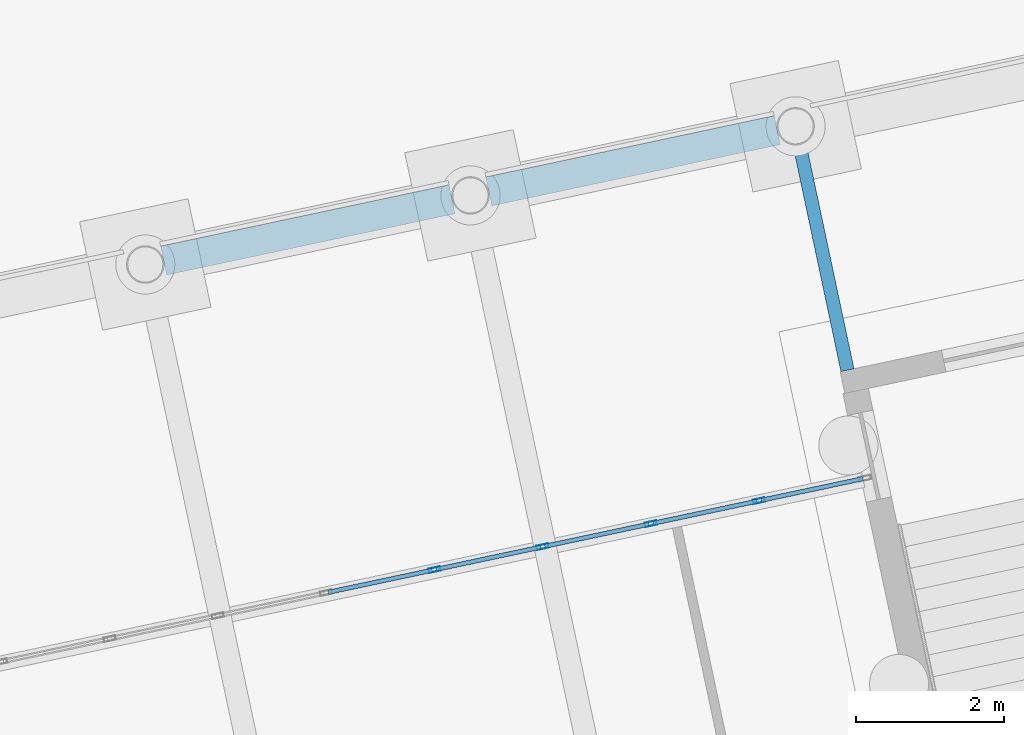
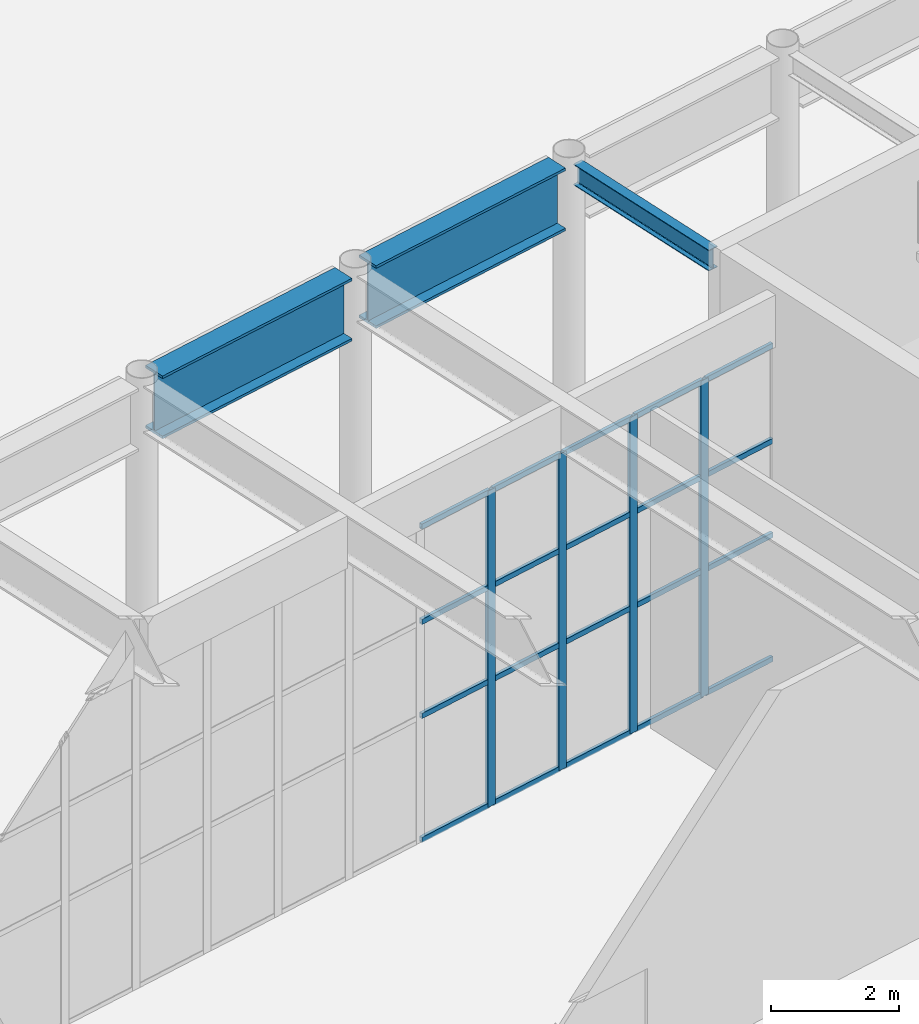
# One storey, part 59 of 239: 24 members, 3 beams, 1 element without a shape of its own.
"""IFC4 building model written with IfcOpenShell, lengths in metres."""

from ifc_helpers import new_model, si_unit, direction, frame, origin, origin_2d, place, context, subcontext, project, spatial, hollow_rectangle, i_section, extrude, material, material_profile, profile_set, type_object, element, aggregate, save


model = new_model("IFC4")

# Units and contexts
model_context = context("Model", 3, precision=1e-05, world=origin(), true_north=direction((0.0, 1.0)))
body_context = subcontext(model_context, "Body", "Model", "MODEL_VIEW")
ifc_project = project(units=[si_unit("LENGTHUNIT", "METRE"), si_unit("AREAUNIT", "SQUARE_METRE"), si_unit("VOLUMEUNIT", "CUBIC_METRE"), si_unit("PLANEANGLEUNIT", "RADIAN"), si_unit("MASSUNIT", "GRAM", prefix="KILO")], contexts=[model_context])

# Site, building, storey
site_placement = place(None, origin())
site = spatial("IfcSite", under=ifc_project, at=site_placement, CompositionType="ELEMENT")
building_placement = place(site_placement, origin())
building = spatial("IfcBuilding", under=site, at=building_placement, Name="Okhra Congress Centre", CompositionType="ELEMENT")
storey_placement = place(building_placement, origin())
storey = spatial("IfcBuildingStorey", under=building, at=storey_placement, Name="L00", CompositionType="ELEMENT", Elevation=0.0)

# Curtain wall, members
ifc_material_1 = material(Name="Aluminium curtain wall, triple glazing", Category="aluminium")
curtain_wall_type = type_object("IfcCurtainWallType", Name="Curtain wall 1500 module", PredefinedType="NOTDEFINED", material=ifc_material_1)
curtain_wall_placement = place(storey_placement, origin())
curtain_wall = element("IfcCurtainWall", 1, at=curtain_wall_placement, inside=storey, type_object=curtain_wall_type, Name="Ground curtain wall N7", PredefinedType="NOTDEFINED")
ifc_material_2 = material(Name="Aluminium alloy EN AW-6063 T66", Category="aluminium")
ifc_material_profile_1 = material_profile(ifc_material_2, hollow_rectangle(XDim=0.06005859375, YDim=0.159912109375, WallThickness=0.00390625, at=origin_2d()), Name="RHS 60x160x4")
ifc_profile_set_1 = profile_set([ifc_material_profile_1], Name="Aluminium alloy EN AW-6063 T66")
member_type_1 = type_object("IfcMemberType", Name="Curtain wall mullion 60x160", PredefinedType="MULLION", material=ifc_profile_set_1)
member_1_placement = place(storey_placement, frame((90.74609375, 52.702392578125, 0.0), z_axis=(0.0, 0.0, 1.0), x_axis=(-0.207911690818, 0.978147600734, 0.0)))
member_1 = element("IfcMember", 2, at=member_1_placement, type_object=member_type_1, Name="CW7 mullion 15", PredefinedType="MULLION", context=body_context, shape_type="SweptSolid", body=[
    extrude(hollow_rectangle(XDim=0.06005859375, YDim=0.159912109375, WallThickness=0.00390625, at=origin_2d()), origin(), (0.0, 0.0, 1.0), 6.050048828125),
])
member_2_placement = place(storey_placement, frame((92.211181640625, 53.013671875, 0.0), z_axis=(0.0, 0.0, 1.0), x_axis=(-0.207911690818, 0.978147600734, 0.0)))
member_2 = element("IfcMember", 3, at=member_2_placement, type_object=member_type_1, Name="CW7 mullion 16", PredefinedType="MULLION", context=body_context, shape_type="SweptSolid", body=[
    extrude(hollow_rectangle(XDim=0.06005859375, YDim=0.159912109375, WallThickness=0.00390625, at=origin_2d()), origin(), (0.0, 0.0, 1.0), 6.050048828125),
])
member_3_placement = place(storey_placement, frame((93.67626953125, 53.3251953125, 0.0), z_axis=(0.0, 0.0, 1.0), x_axis=(-0.207911690818, 0.978147600734, 0.0)))
member_3 = element("IfcMember", 4, at=member_3_placement, type_object=member_type_1, Name="CW7 mullion 17", PredefinedType="MULLION", context=body_context, shape_type="SweptSolid", body=[
    extrude(hollow_rectangle(XDim=0.06005859375, YDim=0.159912109375, WallThickness=0.00390625, at=origin_2d()), origin(), (0.0, 0.0, 1.0), 6.050048828125),
])
member_4_placement = place(storey_placement, frame((95.141357421875, 53.636474609375, 0.0), z_axis=(0.0, 0.0, 1.0), x_axis=(-0.207911690818, 0.978147600734, 0.0)))
member_4 = element("IfcMember", 5, at=member_4_placement, type_object=member_type_1, Name="CW7 mullion 18", PredefinedType="MULLION", context=body_context, shape_type="SweptSolid", body=[
    extrude(hollow_rectangle(XDim=0.06005859375, YDim=0.159912109375, WallThickness=0.00390625, at=origin_2d()), origin(), (0.0, 0.0, 1.0), 6.050048828125),
])
ifc_material_profile_2 = material_profile(ifc_material_2, hollow_rectangle(XDim=0.06005859375, YDim=0.10009765625, WallThickness=0.00390625, at=origin_2d()), Name="RHS 60x100x4")
ifc_profile_set_2 = profile_set([ifc_material_profile_2], Name="Aluminium alloy EN AW-6063 T66")
member_type_2 = type_object("IfcMemberType", Name="Curtain wall transom 60x100", PredefinedType="USERDEFINED", material=ifc_profile_set_2)
member_5_placement = place(storey_placement, frame((89.310546875, 52.397216796875, 0.030029296875), z_axis=(0.978158850918, 0.20785875582, 0.0), x_axis=(-0.20785875582, 0.978158850918, 0.0)))
member_5 = element("IfcMember", 6, at=member_5_placement, type_object=member_type_2, Name="CW7 transom 14.1", ObjectType="TRANSOM", PredefinedType="USERDEFINED", context=body_context, shape_type="SweptSolid", body=[
    extrude(hollow_rectangle(XDim=0.06005859375, YDim=0.10009765625, WallThickness=0.00390625, at=origin_2d()), origin(), (0.0, 0.0, 1.0), 1.437744140625),
])
member_6_placement = place(storey_placement, frame((89.310546875, 52.397216796875, 2.39990234375), z_axis=(0.978158850918, 0.20785875582, 0.0), x_axis=(-0.20785875582, 0.978158850918, 0.0)))
member_6 = element("IfcMember", 7, at=member_6_placement, type_object=member_type_2, Name="CW7 transom 14.2", ObjectType="TRANSOM", PredefinedType="USERDEFINED", context=body_context, shape_type="SweptSolid", body=[
    extrude(hollow_rectangle(XDim=0.06005859375, YDim=0.10009765625, WallThickness=0.00390625, at=origin_2d()), origin(), (0.0, 0.0, 1.0), 1.437744140625),
])
member_7_placement = place(storey_placement, frame((89.310546875, 52.397216796875, 4.199951171875), z_axis=(0.978158850918, 0.20785875582, 0.0), x_axis=(-0.20785875582, 0.978158850918, 0.0)))
member_7 = element("IfcMember", 8, at=member_7_placement, type_object=member_type_2, Name="CW7 transom 14.3", ObjectType="TRANSOM", PredefinedType="USERDEFINED", context=body_context, shape_type="SweptSolid", body=[
    extrude(hollow_rectangle(XDim=0.06005859375, YDim=0.10009765625, WallThickness=0.00390625, at=origin_2d()), origin(), (0.0, 0.0, 1.0), 1.437744140625),
])
member_8_placement = place(storey_placement, frame((89.310546875, 52.397216796875, 6.02001953125), z_axis=(0.978158850918, 0.20785875582, 0.0), x_axis=(-0.20785875582, 0.978158850918, 0.0)))
member_8 = element("IfcMember", 9, at=member_8_placement, type_object=member_type_2, Name="CW7 transom 14.4", ObjectType="TRANSOM", PredefinedType="USERDEFINED", context=body_context, shape_type="SweptSolid", body=[
    extrude(hollow_rectangle(XDim=0.06005859375, YDim=0.10009765625, WallThickness=0.00390625, at=origin_2d()), origin(), (0.0, 0.0, 1.0), 1.437744140625),
])
member_9_placement = place(storey_placement, frame((90.775634765625, 52.70849609375, 0.030029296875), z_axis=(0.978124311184, 0.208021229375, 0.0), x_axis=(-0.208021229375, 0.978124311184, 0.0)))
member_9 = element("IfcMember", 10, at=member_9_placement, type_object=member_type_2, Name="CW7 transom 15.1", ObjectType="TRANSOM", PredefinedType="USERDEFINED", context=body_context, shape_type="SweptSolid", body=[
    extrude(hollow_rectangle(XDim=0.06005859375, YDim=0.10009765625, WallThickness=0.00390625, at=origin_2d()), origin(), (0.0, 0.0, 1.0), 1.437744140625),
])
member_10_placement = place(storey_placement, frame((90.775634765625, 52.70849609375, 2.39990234375), z_axis=(0.978124311184, 0.208021229375, 0.0), x_axis=(-0.208021229375, 0.978124311184, 0.0)))
member_10 = element("IfcMember", 11, at=member_10_placement, type_object=member_type_2, Name="CW7 transom 15.2", ObjectType="TRANSOM", PredefinedType="USERDEFINED", context=body_context, shape_type="SweptSolid", body=[
    extrude(hollow_rectangle(XDim=0.06005859375, YDim=0.10009765625, WallThickness=0.00390625, at=origin_2d()), origin(), (0.0, 0.0, 1.0), 1.437744140625),
])
member_11_placement = place(storey_placement, frame((90.775634765625, 52.70849609375, 4.199951171875), z_axis=(0.978124311184, 0.208021229375, 0.0), x_axis=(-0.208021229375, 0.978124311184, 0.0)))
member_11 = element("IfcMember", 12, at=member_11_placement, type_object=member_type_2, Name="CW7 transom 15.3", ObjectType="TRANSOM", PredefinedType="USERDEFINED", context=body_context, shape_type="SweptSolid", body=[
    extrude(hollow_rectangle(XDim=0.06005859375, YDim=0.10009765625, WallThickness=0.00390625, at=origin_2d()), origin(), (0.0, 0.0, 1.0), 1.437744140625),
])
member_12_placement = place(storey_placement, frame((90.775634765625, 52.70849609375, 6.02001953125), z_axis=(0.978124311184, 0.208021229375, 0.0), x_axis=(-0.208021229375, 0.978124311184, 0.0)))
member_12 = element("IfcMember", 13, at=member_12_placement, type_object=member_type_2, Name="CW7 transom 15.4", ObjectType="TRANSOM", PredefinedType="USERDEFINED", context=body_context, shape_type="SweptSolid", body=[
    extrude(hollow_rectangle(XDim=0.06005859375, YDim=0.10009765625, WallThickness=0.00390625, at=origin_2d()), origin(), (0.0, 0.0, 1.0), 1.437744140625),
])
member_13_placement = place(storey_placement, frame((92.240478515625, 53.02001953125, 0.030029296875), z_axis=(0.978166186175, 0.207824233966, 0.0), x_axis=(-0.207824233966, 0.978166186175, 0.0)))
member_13 = element("IfcMember", 14, at=member_13_placement, type_object=member_type_2, Name="CW7 transom 16.1", ObjectType="TRANSOM", PredefinedType="USERDEFINED", context=body_context, shape_type="SweptSolid", body=[
    extrude(hollow_rectangle(XDim=0.06005859375, YDim=0.10009765625, WallThickness=0.00390625, at=origin_2d()), origin(), (0.0, 0.0, 1.0), 1.43798828125),
])
member_14_placement = place(storey_placement, frame((92.240478515625, 53.02001953125, 2.39990234375), z_axis=(0.978166186175, 0.207824233966, 0.0), x_axis=(-0.207824233966, 0.978166186175, 0.0)))
member_14 = element("IfcMember", 15, at=member_14_placement, type_object=member_type_2, Name="CW7 transom 16.2", ObjectType="TRANSOM", PredefinedType="USERDEFINED", context=body_context, shape_type="SweptSolid", body=[
    extrude(hollow_rectangle(XDim=0.06005859375, YDim=0.10009765625, WallThickness=0.00390625, at=origin_2d()), origin(), (0.0, 0.0, 1.0), 1.43798828125),
])
member_15_placement = place(storey_placement, frame((92.240478515625, 53.02001953125, 4.199951171875), z_axis=(0.978166186175, 0.207824233966, 0.0), x_axis=(-0.207824233966, 0.978166186175, 0.0)))
member_15 = element("IfcMember", 16, at=member_15_placement, type_object=member_type_2, Name="CW7 transom 16.3", ObjectType="TRANSOM", PredefinedType="USERDEFINED", context=body_context, shape_type="SweptSolid", body=[
    extrude(hollow_rectangle(XDim=0.06005859375, YDim=0.10009765625, WallThickness=0.00390625, at=origin_2d()), origin(), (0.0, 0.0, 1.0), 1.43798828125),
])
member_16_placement = place(storey_placement, frame((92.240478515625, 53.02001953125, 6.02001953125), z_axis=(0.978166186175, 0.207824233966, 0.0), x_axis=(-0.207824233966, 0.978166186175, 0.0)))
member_16 = element("IfcMember", 17, at=member_16_placement, type_object=member_type_2, Name="CW7 transom 16.4", ObjectType="TRANSOM", PredefinedType="USERDEFINED", context=body_context, shape_type="SweptSolid", body=[
    extrude(hollow_rectangle(XDim=0.06005859375, YDim=0.10009765625, WallThickness=0.00390625, at=origin_2d()), origin(), (0.0, 0.0, 1.0), 1.43798828125),
])
member_17_placement = place(storey_placement, frame((93.70556640625, 53.331298828125, 0.030029296875), z_axis=(0.978131657654, 0.207986682976, 0.0), x_axis=(-0.207986682976, 0.978131657654, 0.0)))
member_17 = element("IfcMember", 18, at=member_17_placement, type_object=member_type_2, Name="CW7 transom 17.1", ObjectType="TRANSOM", PredefinedType="USERDEFINED", context=body_context, shape_type="SweptSolid", body=[
    extrude(hollow_rectangle(XDim=0.06005859375, YDim=0.10009765625, WallThickness=0.00390625, at=origin_2d()), origin(), (0.0, 0.0, 1.0), 1.43798828125),
])
member_18_placement = place(storey_placement, frame((93.70556640625, 53.331298828125, 2.39990234375), z_axis=(0.978131657654, 0.207986682976, 0.0), x_axis=(-0.207986682976, 0.978131657654, 0.0)))
member_18 = element("IfcMember", 19, at=member_18_placement, type_object=member_type_2, Name="CW7 transom 17.2", ObjectType="TRANSOM", PredefinedType="USERDEFINED", context=body_context, shape_type="SweptSolid", body=[
    extrude(hollow_rectangle(XDim=0.06005859375, YDim=0.10009765625, WallThickness=0.00390625, at=origin_2d()), origin(), (0.0, 0.0, 1.0), 1.43798828125),
])
member_19_placement = place(storey_placement, frame((93.70556640625, 53.331298828125, 4.199951171875), z_axis=(0.978131657654, 0.207986682976, 0.0), x_axis=(-0.207986682976, 0.978131657654, 0.0)))
member_19 = element("IfcMember", 20, at=member_19_placement, type_object=member_type_2, Name="CW7 transom 17.3", ObjectType="TRANSOM", PredefinedType="USERDEFINED", context=body_context, shape_type="SweptSolid", body=[
    extrude(hollow_rectangle(XDim=0.06005859375, YDim=0.10009765625, WallThickness=0.00390625, at=origin_2d()), origin(), (0.0, 0.0, 1.0), 1.43798828125),
])
member_20_placement = place(storey_placement, frame((93.70556640625, 53.331298828125, 6.02001953125), z_axis=(0.978131657654, 0.207986682976, 0.0), x_axis=(-0.207986682976, 0.978131657654, 0.0)))
member_20 = element("IfcMember", 21, at=member_20_placement, type_object=member_type_2, Name="CW7 transom 17.4", ObjectType="TRANSOM", PredefinedType="USERDEFINED", context=body_context, shape_type="SweptSolid", body=[
    extrude(hollow_rectangle(XDim=0.06005859375, YDim=0.10009765625, WallThickness=0.00390625, at=origin_2d()), origin(), (0.0, 0.0, 1.0), 1.43798828125),
])
member_21_placement = place(storey_placement, frame((95.170654296875, 53.642822265625, 0.030029296875), z_axis=(0.978141216674, 0.20794172319, 0.0), x_axis=(-0.20794172319, 0.978141216674, 0.0)))
member_21 = element("IfcMember", 22, at=member_21_placement, type_object=member_type_2, Name="CW7 transom 18.1", ObjectType="TRANSOM", PredefinedType="USERDEFINED", context=body_context, shape_type="SweptSolid", body=[
    extrude(hollow_rectangle(XDim=0.06005859375, YDim=0.10009765625, WallThickness=0.00390625, at=origin_2d()), origin(), (0.0, 0.0, 1.0), 1.40771484375),
])
member_22_placement = place(storey_placement, frame((95.170654296875, 53.642822265625, 2.39990234375), z_axis=(0.978141216674, 0.20794172319, 0.0), x_axis=(-0.20794172319, 0.978141216674, 0.0)))
member_22 = element("IfcMember", 23, at=member_22_placement, type_object=member_type_2, Name="CW7 transom 18.2", ObjectType="TRANSOM", PredefinedType="USERDEFINED", context=body_context, shape_type="SweptSolid", body=[
    extrude(hollow_rectangle(XDim=0.06005859375, YDim=0.10009765625, WallThickness=0.00390625, at=origin_2d()), origin(), (0.0, 0.0, 1.0), 1.40771484375),
])
member_23_placement = place(storey_placement, frame((95.170654296875, 53.642822265625, 4.199951171875), z_axis=(0.978141216674, 0.20794172319, 0.0), x_axis=(-0.20794172319, 0.978141216674, 0.0)))
member_23 = element("IfcMember", 24, at=member_23_placement, type_object=member_type_2, Name="CW7 transom 18.3", ObjectType="TRANSOM", PredefinedType="USERDEFINED", context=body_context, shape_type="SweptSolid", body=[
    extrude(hollow_rectangle(XDim=0.06005859375, YDim=0.10009765625, WallThickness=0.00390625, at=origin_2d()), origin(), (0.0, 0.0, 1.0), 1.40771484375),
])
member_24_placement = place(storey_placement, frame((95.170654296875, 53.642822265625, 6.02001953125), z_axis=(0.978141216674, 0.20794172319, 0.0), x_axis=(-0.20794172319, 0.978141216674, 0.0)))
member_24 = element("IfcMember", 25, at=member_24_placement, type_object=member_type_2, Name="CW7 transom 18.4", ObjectType="TRANSOM", PredefinedType="USERDEFINED", context=body_context, shape_type="SweptSolid", body=[
    extrude(hollow_rectangle(XDim=0.06005859375, YDim=0.10009765625, WallThickness=0.00390625, at=origin_2d()), origin(), (0.0, 0.0, 1.0), 1.40771484375),
])
aggregate(curtain_wall, [member_1, member_2, member_3, member_4, member_5, member_6, member_7, member_8, member_9, member_10, member_11, member_12, member_13, member_14, member_15, member_16, member_17, member_18, member_19, member_20, member_21, member_22, member_23, member_24])

# Beams
ifc_material_3 = material(Name="Steel S355J2", Category="steel")
ifc_material_profile_3 = material_profile(ifc_material_3, i_section(OverallWidth=0.179931640625, OverallDepth=0.39990234375, WebThickness=0.008544921875, FlangeThickness=0.013427734375, FilletRadius=0.02099609375, at=origin_2d()), Name="IPE 400")
ifc_profile_set_3 = profile_set([ifc_material_profile_3], Name="Steel S355J2")
beam_type_1 = type_object("IfcBeamType", Name="Floor beam stub IPE 400", PredefinedType="BEAM", material=ifc_profile_set_3)
beam_placement = place(storey_placement, frame((96.337890625, 55.404052734375, 6.85009765625), z_axis=(-0.207932330883, 0.978143213325, 0.0), x_axis=(-0.978143213325, -0.207932330883, 0.0)))
element("IfcBeam", 26, at=beam_placement, inside=storey, type_object=beam_type_1, Name="Floor beam 9.2", PredefinedType="BEAM", context=body_context, shape_type="SweptSolid", body=[
    extrude(i_section(OverallWidth=0.179931640625, OverallDepth=0.39990234375, WebThickness=0.008544921875, FlangeThickness=0.013427734375, FilletRadius=0.02099609375, at=origin_2d()), origin(), (0.0, 0.0, 1.0), 3.1748046875),
])
ifc_material_profile_4 = material_profile(ifc_material_3, i_section(OverallWidth=0.39990234375, OverallDepth=1.199951171875, WebThickness=0.02490234375, FlangeThickness=0.050048828125, at=origin_2d()), Name="Plate girder 1200x400")
ifc_profile_set_4 = profile_set([ifc_material_profile_4], Name="Steel S355J2")
beam_type_2 = type_object("IfcBeamType", Name="Perimeter plate girder 1200x400", PredefinedType="BEAM", material=ifc_profile_set_4)
for number, where, z_axis, x_axis, name in (
    (27, (87.081298828125, 56.88671875, 6.449951171875), (0.978142994281, 0.207933361295, 0.0), (-0.207933361295, 0.978142994281, 0.0), "Perimeter girder N5"),
    (28, (91.48291015625, 57.822509765625, 6.449951171875), (0.978155431297, 0.207874847504, 0.0), (-0.207874847504, 0.978155431297, 0.0), "Perimeter girder N6"),
):
    element("IfcBeam", number, at=place(storey_placement, frame(where, z_axis=z_axis, x_axis=x_axis)), inside=storey, type_object=beam_type_2, Name=name, PredefinedType="BEAM", context=body_context, shape_type="SweptSolid", body=[
        extrude(i_section(OverallWidth=0.39990234375, OverallDepth=1.199951171875, WebThickness=0.02490234375, FlangeThickness=0.050048828125, at=origin_2d()), origin(), (0.0, 0.0, 1.0), 3.991943359375),
    ])

save(model, "model.ifc")
